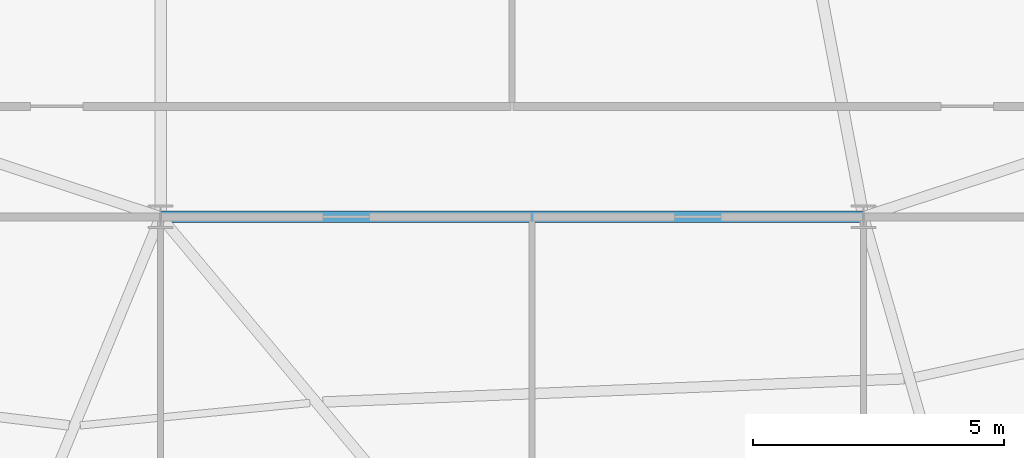
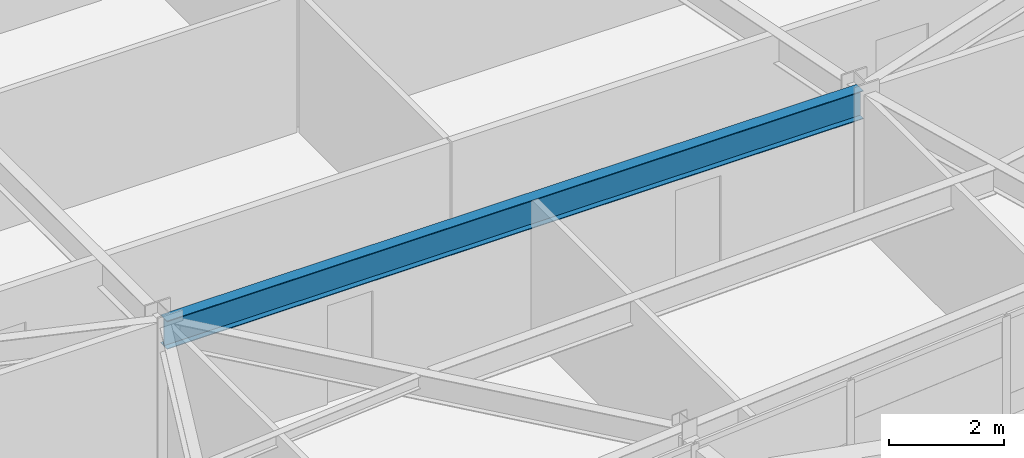
# One storey, part 12 of 52: 1 beam.
"""IFC4 building model written with IfcOpenShell, lengths in metres."""

from ifc_helpers import new_model, si_unit, direction, frame, origin, origin_2d, place, context, subcontext, project, spatial, i_section, extrude, source, transform, mapped, material, material_profile, profile_set, type_object, element, save


model = new_model("IFC4")

# Units and contexts
model_context = context("Model", 3, precision=1e-05, world=origin(), true_north=direction((0.0, 1.0)))
body_context = subcontext(model_context, "Body", "Model", "MODEL_VIEW")
ifc_project = project(units=[si_unit("LENGTHUNIT", "METRE"), si_unit("AREAUNIT", "SQUARE_METRE"), si_unit("VOLUMEUNIT", "CUBIC_METRE"), si_unit("PLANEANGLEUNIT", "RADIAN"), si_unit("MASSUNIT", "GRAM", prefix="KILO")], contexts=[model_context])

# Site, building, storey
site_placement = place(None, origin())
site = spatial("IfcSite", under=ifc_project, at=site_placement, CompositionType="ELEMENT")
building_placement = place(site_placement, origin())
building = spatial("IfcBuilding", under=site, at=building_placement, Name="Taldren Reach Tower", CompositionType="ELEMENT")
storey_placement = place(building_placement, frame((0.0, 0.0, 77.699951171875)))
storey = spatial("IfcBuildingStorey", under=building, at=storey_placement, Name="L23", CompositionType="ELEMENT", Elevation=77.699951171875)

# Beam
ifc_material = material(Name="Steel Gr 350 (350PLUS)", Category="steel")
ifc_material_profile = material_profile(ifc_material, i_section(OverallWidth=0.22802734375, OverallDepth=0.60205078125, WebThickness=0.010498046875, FlangeThickness=0.014892578125, at=origin_2d()), Name="610UB101")
ifc_profile_set = profile_set([ifc_material_profile], Name="Steel Gr 350 (350PLUS)")
beam_type = type_object("IfcBeamType", Name="BM-UB610B", PredefinedType="BEAM", material=ifc_profile_set)
shared_shape = source(origin(), body_context, "Body", "SweptSolid", [
    extrude(i_section(OverallWidth=0.22802734375, OverallDepth=0.60205078125, WebThickness=0.010498046875, FlangeThickness=0.014892578125, at=origin_2d()), origin(), (0.0, 0.0, 1.0), 14.0),
])
beam_placement = place(storey_placement, frame((28.0, 9.199951171875, 2.629150390625), z_axis=(1.0, 0.0, 0.0), x_axis=(0.0, 1.0, 0.0)))
element("IfcBeam", 1, at=beam_placement, inside=storey, type_object=beam_type, Name="Core-spine girder L23-SP11", PredefinedType="BEAM", context=body_context, shape_type="MappedRepresentation", body=[
    mapped(shared_shape, transform((0.0, 0.0, 0.0), scale=1.0)),
])

save(model, "model.ifc")
